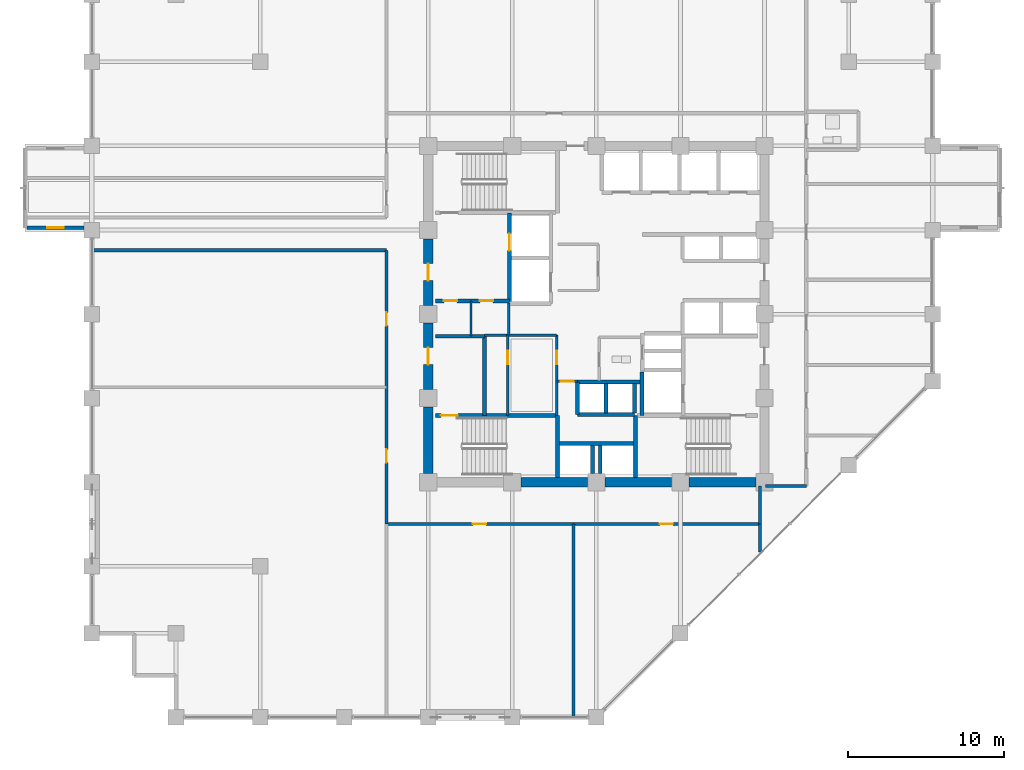
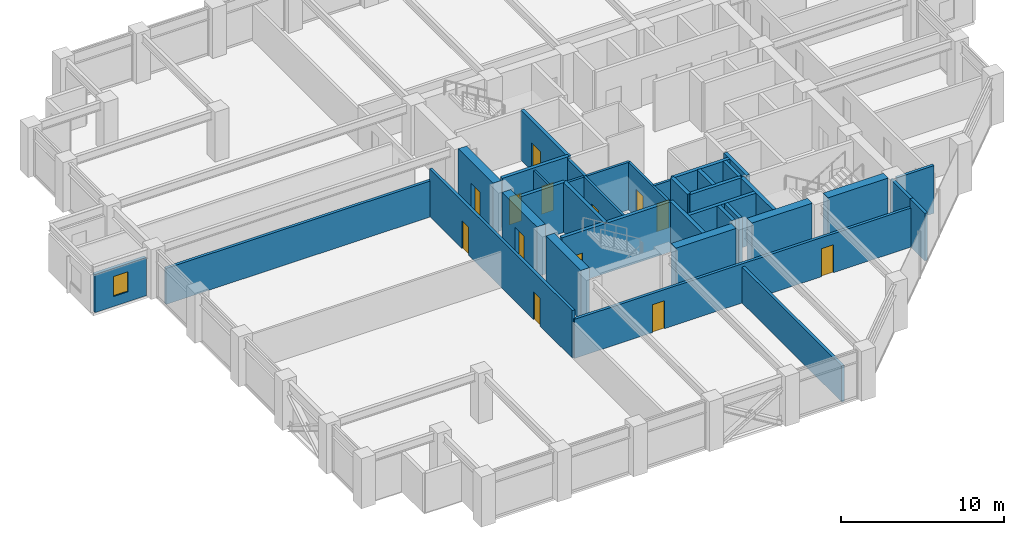
# One storey, part 22 of 29: 36 walls, 13 doors, 1 window, 14 openings.
"""IFC4 building model written with IfcOpenShell, lengths in metres."""

from ifc_helpers import new_model, si_unit, direction, frame, frame_2d, origin, place, context, subcontext, project, spatial, rectangle, extrude, material, layer, layer_set, type_object, element, fill, save


model = new_model("IFC4")

# Units and contexts
model_context = context("Model", 3, precision=1e-05, world=origin(), true_north=direction((0.0, 1.0)))
body_context = subcontext(model_context, "Body", "Model", "MODEL_VIEW")
ifc_project = project(units=[si_unit("LENGTHUNIT", "METRE"), si_unit("AREAUNIT", "SQUARE_METRE"), si_unit("VOLUMEUNIT", "CUBIC_METRE"), si_unit("PLANEANGLEUNIT", "RADIAN"), si_unit("MASSUNIT", "GRAM", prefix="KILO")], contexts=[model_context])

# Site, building, storey
site_placement = place(None, origin())
site = spatial("IfcSite", under=ifc_project, at=site_placement, CompositionType="ELEMENT")
building_placement = place(site_placement, origin())
building = spatial("IfcBuilding", under=site, at=building_placement, Name="Surkhivell Harbour Commons", CompositionType="ELEMENT")
storey_placement = place(building_placement, frame((0.0, 0.0, 154.5)))
storey = spatial("IfcBuildingStorey", under=building, at=storey_placement, Name="L40", CompositionType="ELEMENT", Elevation=154.5)

# Walls
ifc_material_1 = material(Name="Concrete C60/75", Category="concrete")
ifc_layer_1 = layer(ifc_material_1, 0.60009765625)
ifc_layer_set_1 = layer_set([ifc_layer_1], Name="Concrete C60/75")
wall_type_1 = type_object("IfcWallType", Name="WAL-CORE-600", PredefinedType="SHEAR", material=ifc_layer_set_1)
for number, where, z_axis, x_axis, name in (
    (1, (-10.800048828125, -10.239990234375, 0.0), (0.0, 0.0, 1.0), (0.0, 1.0, 0.0), "L40 Core Shear Wall West 1"),
    (2, (-4.840087890625, -10.800048828125, 0.0), (0.0, 0.0, 1.0), (1.0, 0.0, 0.0), "L40 Core Shear Wall South 2"),
):
    element("IfcWall", number, at=place(storey_placement, frame(where, z_axis=z_axis, x_axis=x_axis)), inside=storey, type_object=wall_type_1, Name=name, PredefinedType="SHEAR", context=body_context, shape_type="SweptSolid", body=[
        extrude(rectangle(XDim=4.280029296875, YDim=0.60009765625, at=frame_2d((2.14013671875, 0.0))), origin(), (0.0, 0.0, 1.0), 3.75),
    ])

# Wall, opening, door
wall_1_placement = place(storey_placement, frame((-10.800048828125, -4.840087890625, 0.0), z_axis=(0.0, 0.0, 1.0), x_axis=(0.0, 1.0, 0.0)))
wall_1 = element("IfcWall", 3, at=wall_1_placement, inside=storey, type_object=wall_type_1, Name="L40 Core Shear Wall West 2", PredefinedType="SHEAR", context=body_context, shape_type="SweptSolid", body=[
    extrude(rectangle(XDim=4.280029296875, YDim=0.60009765625, at=frame_2d((2.14013671875, 0.0))), origin(), (0.0, 0.0, 1.0), 3.75),
])
opening_1_placement = place(wall_1_placement, frame((1.590087890625, 0.0, 0.0)))
opening_1 = element("IfcOpeningElement", 4, at=opening_1_placement, cuts=wall_1, Name="Opening ID-2", PredefinedType="OPENING", context=body_context, shape_type="SweptSolid", body=[
    extrude(rectangle(XDim=1.10009765625, YDim=2.10009765625, at=frame_2d((0.550048828125, 1.050048828125))), frame((0.0, 0.31005859375, 0.0), z_axis=(0.0, -1.0, 0.0), x_axis=(1.0, 0.0, 0.0)), (0.0, 0.0, 1.0), 0.6201171875),
])
ifc_material_2 = material(Name="Hardwood-veneered fire-rated door leaf", Category="wood")
door_type_1 = type_object("IfcDoorType", Name="DOR-FD60-1100", OperationType="NOTDEFINED", PredefinedType="DOOR", material=ifc_material_2)
door_1_placement = place(opening_1_placement, origin())
door_1 = element("IfcDoor", 5, at=door_1_placement, inside=storey, type_object=door_type_1, Name="L40 Stair 3 Lobby Corridor Door", OperationType="SINGLE_SWING_LEFT", OverallHeight=2.10009765625, OverallWidth=1.10009765625, PredefinedType="DOOR", context=body_context, shape_type="SweptSolid", body=[
    extrude(rectangle(XDim=1.10009765625, YDim=2.10009765625, at=frame_2d((0.550048828125, 1.050048828125))), frame((0.0, 0.02490234375, 0.0), z_axis=(0.0, -1.0, 0.0), x_axis=(1.0, 0.0, 0.0)), (0.0, 0.0, 1.0), 0.050048828125),
])
fill(opening_1, door_1)

# Wall
wall_2_placement = place(storey_placement, frame((0.56005859375, -10.800048828125, 0.0), z_axis=(0.0, 0.0, 1.0), x_axis=(1.0, 0.0, 0.0)))
element("IfcWall", 6, at=wall_2_placement, inside=storey, type_object=wall_type_1, Name="L40 Core Shear Wall South 3", PredefinedType="SHEAR", context=body_context, shape_type="SweptSolid", body=[
    extrude(rectangle(XDim=4.280029296875, YDim=0.60009765625, at=frame_2d((2.14013671875, 0.0))), origin(), (0.0, 0.0, 1.0), 3.75),
])

# Wall, opening, door
wall_3_placement = place(storey_placement, frame((-10.800048828125, 0.56005859375, 0.0), z_axis=(0.0, 0.0, 1.0), x_axis=(0.0, 1.0, 0.0)))
wall_3 = element("IfcWall", 7, at=wall_3_placement, inside=storey, type_object=wall_type_1, Name="L40 Core Shear Wall West 3", PredefinedType="SHEAR", context=body_context, shape_type="SweptSolid", body=[
    extrude(rectangle(XDim=4.280029296875, YDim=0.60009765625, at=frame_2d((2.14013671875, 0.0))), origin(), (0.0, 0.0, 1.0), 3.75),
])
opening_2_placement = place(wall_3_placement, frame((1.590087890625, 0.0, 0.0)))
opening_2 = element("IfcOpeningElement", 8, at=opening_2_placement, cuts=wall_3, Name="Opening ID-1", PredefinedType="OPENING", context=body_context, shape_type="SweptSolid", body=[
    extrude(rectangle(XDim=1.10009765625, YDim=2.10009765625, at=frame_2d((0.550048828125, 1.050048828125))), frame((0.0, 0.31005859375, 0.0), z_axis=(0.0, -1.0, 0.0), x_axis=(1.0, 0.0, 0.0)), (0.0, 0.0, 1.0), 0.6201171875),
])
door_type_2 = type_object("IfcDoorType", Name="DOR-FD120-1100", OperationType="NOTDEFINED", PredefinedType="DOOR", material=ifc_material_2)
door_2_placement = place(opening_2_placement, origin())
door_2 = element("IfcDoor", 9, at=door_2_placement, inside=storey, type_object=door_type_2, Name="L40 Firefighting Lobby 1 Corridor Door", OperationType="SINGLE_SWING_LEFT", OverallHeight=2.10009765625, OverallWidth=1.10009765625, PredefinedType="DOOR", context=body_context, shape_type="SweptSolid", body=[
    extrude(rectangle(XDim=1.10009765625, YDim=2.10009765625, at=frame_2d((0.550048828125, 1.050048828125))), frame((0.0, 0.02490234375, 0.0), z_axis=(0.0, -1.0, 0.0), x_axis=(1.0, 0.0, 0.0)), (0.0, 0.0, 1.0), 0.050048828125),
])
fill(opening_2, door_2)

# Wall
wall_4_placement = place(storey_placement, frame((5.9599609375, -10.800048828125, 0.0), z_axis=(0.0, 0.0, 1.0), x_axis=(1.0, 0.0, 0.0)))
element("IfcWall", 10, at=wall_4_placement, inside=storey, type_object=wall_type_1, Name="L40 Core Shear Wall South 4", PredefinedType="SHEAR", context=body_context, shape_type="SweptSolid", body=[
    extrude(rectangle(XDim=4.280029296875, YDim=0.60009765625, at=frame_2d((2.14013671875, 0.0))), origin(), (0.0, 0.0, 1.0), 3.75),
])

# Wall, opening, window
ifc_material_3 = material(Name="Bronze-ochre cassette precast concrete C45/55", Category="concrete")
ifc_layer_2 = layer(ifc_material_3, 0.239990234375)
ifc_layer_set_2 = layer_set([ifc_layer_2], Name="Bronze-ochre cassette precast concrete C45/55")
wall_type_2 = type_object("IfcWallType", Name="WAL-EXT-OCH240", PredefinedType="STANDARD", material=ifc_layer_set_2)
wall_5_placement = place(storey_placement, frame((-36.56005859375, 5.5400390625, 0.0), z_axis=(0.0, 0.0, 1.0), x_axis=(1.0, 0.0, 0.0)))
wall_5 = element("IfcWall", 11, at=wall_5_placement, inside=storey, type_object=wall_type_2, Name="L40 Coloured Box Return Wall 02S", PredefinedType="STANDARD", context=body_context, shape_type="SweptSolid", body=[
    extrude(rectangle(XDim=3.656005859375, YDim=0.239990234375, at=frame_2d((1.828125, 0.0))), origin(), (0.0, 0.0, 1.0), 2.85693359375),
])
opening_3_placement = place(wall_5_placement, frame((1.302978515625, 0.0, 0.75)))
opening_3 = element("IfcOpeningElement", 12, at=opening_3_placement, cuts=wall_5, Name="Opening WN-11", PredefinedType="OPENING", context=body_context, shape_type="SweptSolid", body=[
    extrude(rectangle(XDim=1.050048828125, YDim=1.5, at=frame_2d((0.52490234375, 0.75))), frame((0.0, 0.1298828125, 0.0), z_axis=(0.0, -1.0, 0.0), x_axis=(1.0, 0.0, 0.0)), (0.0, 0.0, 1.0), 0.260009765625),
])
ifc_material_4 = material(Name="Thermal-break aluminium frame and double low-E glazing", Category="aluminium")
window_type = type_object("IfcWindowType", Name="WIN-SER-1050x1500", PartitioningType="SINGLE_PANEL", PredefinedType="WINDOW", material=ifc_material_4)
window_placement = place(opening_3_placement, origin())
window = element("IfcWindow", 13, at=window_placement, inside=storey, type_object=window_type, Name="L40 Coloured Box Return Window 02S", OverallHeight=1.5, OverallWidth=1.050048828125, PartitioningType="SINGLE_PANEL", PredefinedType="WINDOW", context=body_context, shape_type="SweptSolid", body=[
    extrude(rectangle(XDim=1.050048828125, YDim=1.5, at=frame_2d((0.52490234375, 0.75))), frame((0.0, 0.030029296875, 0.0), z_axis=(0.0, -1.0, 0.0), x_axis=(1.0, 0.0, 0.0)), (0.0, 0.0, 1.0), 0.06005859375),
])
fill(opening_3, window)

# Wall, opening, door
ifc_material_5 = material(Name="Twin-stud acoustic fireboard partition", Category="other")
ifc_layer_3 = layer(ifc_material_5, 0.14990234375)
ifc_layer_set_3 = layer_set([ifc_layer_3], Name="Twin-stud acoustic fireboard partition")
wall_type_3 = type_object("IfcWallType", Name="WAL-INT-150", PredefinedType="PARTITIONING", material=ifc_layer_set_3)
wall_6_placement = place(storey_placement, frame((-5.699951171875, -6.510009765625, 0.0), z_axis=(0.0, 0.0, 1.0), x_axis=(0.0, 1.0, 0.0)))
wall_6 = element("IfcWall", 14, at=wall_6_placement, inside=storey, type_object=wall_type_3, Name="L40 Core Cut B Partition", PredefinedType="PARTITIONING", context=body_context, shape_type="SweptSolid", body=[
    extrude(rectangle(XDim=5.159912109375, YDim=0.14990234375, at=frame_2d((2.580078125, 0.0))), origin(), (0.0, 0.0, 1.0), 3.570068359375),
])
opening_4_placement = place(wall_6_placement, frame((3.300048828125, 0.0, 0.0)))
opening_4 = element("IfcOpeningElement", 15, at=opening_4_placement, cuts=wall_6, Name="Opening ID-6", PredefinedType="OPENING", context=body_context, shape_type="SweptSolid", body=[
    extrude(rectangle(XDim=0.85009765625, YDim=2.10009765625, at=frame_2d((0.425048828125, 1.050048828125))), frame((0.0, 0.0849609375, 0.0), z_axis=(0.0, -1.0, 0.0), x_axis=(1.0, 0.0, 0.0)), (0.0, 0.0, 1.0), 0.169921875),
])
door_type_3 = type_object("IfcDoorType", Name="DOR-FD30-850", OperationType="NOTDEFINED", PredefinedType="DOOR", material=ifc_material_2)
door_3_placement = place(opening_4_placement, origin())
door_3 = element("IfcDoor", 16, at=door_3_placement, inside=storey, type_object=door_type_3, Name="L40 Core Focus Study Door", OperationType="SINGLE_SWING_RIGHT", OverallHeight=2.10009765625, OverallWidth=0.85009765625, PredefinedType="DOOR", context=body_context, shape_type="SweptSolid", body=[
    extrude(rectangle(XDim=0.85009765625, YDim=2.10009765625, at=frame_2d((0.425048828125, 1.050048828125))), frame((0.0, 0.02490234375, 0.0), z_axis=(0.0, -1.0, 0.0), x_axis=(1.0, 0.0, 0.0)), (0.0, 0.0, 1.0), 0.050048828125),
])
fill(opening_4, door_3)

# Wall
wall_7_placement = place(storey_placement, frame((-8.050048828125, -1.419921875, 0.0), z_axis=(0.0, 0.0, 1.0), x_axis=(0.0, 1.0, 0.0)))
element("IfcWall", 17, at=wall_7_placement, inside=storey, type_object=wall_type_3, Name="L40 West Seminar Booth Divider", PredefinedType="PARTITIONING", context=body_context, shape_type="SweptSolid", body=[
    extrude(rectangle(XDim=2.27001953125, YDim=0.14990234375, at=frame_2d((1.135009765625, 0.0))), origin(), (0.0, 0.0, 1.0), 3.570068359375),
])

# Wall, opening, door
ifc_material_6 = material(Name="High-density acoustic blockwork fire partition", Category="masonry")
ifc_layer_4 = layer(ifc_material_6, 0.175048828125)
ifc_layer_set_4 = layer_set([ifc_layer_4], Name="High-density acoustic blockwork fire partition")
wall_type_4 = type_object("IfcWallType", Name="WAL-INT-175", PredefinedType="PARTITIONING", material=ifc_layer_set_4)
wall_8_placement = place(storey_placement, frame((-2.550048828125, -6.510009765625, 0.0), z_axis=(0.0, 0.0, 1.0), x_axis=(0.0, 1.0, 0.0)))
wall_8 = element("IfcWall", 18, at=wall_8_placement, inside=storey, type_object=wall_type_4, Name="L40 Core Service Bay East Wall", PredefinedType="PARTITIONING", context=body_context, shape_type="SweptSolid", body=[
    extrude(rectangle(XDim=5.159912109375, YDim=0.175048828125, at=frame_2d((2.580078125, 0.0))), origin(), (0.0, 0.0, 1.0), 3.570068359375),
])
opening_5_placement = place(wall_8_placement, frame((3.300048828125, 0.0, 0.0)))
opening_5 = element("IfcOpeningElement", 19, at=opening_5_placement, cuts=wall_8, Name="Opening ID-6", PredefinedType="OPENING", context=body_context, shape_type="SweptSolid", body=[
    extrude(rectangle(XDim=0.85009765625, YDim=2.10009765625, at=frame_2d((0.425048828125, 1.050048828125))), frame((0.0, 0.097412109375, 0.0), z_axis=(0.0, -1.0, 0.0), x_axis=(1.0, 0.0, 0.0)), (0.0, 0.0, 1.0), 0.195068359375),
])
door_4_placement = place(opening_5_placement, origin())
door_4 = element("IfcDoor", 20, at=door_4_placement, inside=storey, type_object=door_type_3, Name="L40 Core Music Door", OperationType="SINGLE_SWING_LEFT", OverallHeight=2.10009765625, OverallWidth=0.85009765625, PredefinedType="DOOR", context=body_context, shape_type="SweptSolid", body=[
    extrude(rectangle(XDim=0.85009765625, YDim=2.10009765625, at=frame_2d((0.425048828125, 1.050048828125))), frame((0.0, 0.02490234375, 0.0), z_axis=(0.0, -1.0, 0.0), x_axis=(1.0, 0.0, 0.0)), (0.0, 0.0, 1.0), 0.050048828125),
])
fill(opening_5, door_4)

# Walls
wall_9_placement = place(storey_placement, frame((-7.179931640625, -1.35009765625, 0.0), z_axis=(0.0, 0.0, 1.0), x_axis=(1.0, 0.0, 0.0)))
element("IfcWall", 21, at=wall_9_placement, inside=storey, type_object=wall_type_4, Name="L40 Core Service Bay North Wall", PredefinedType="PARTITIONING", context=body_context, shape_type="SweptSolid", body=[
    extrude(rectangle(XDim=4.6298828125, YDim=0.175048828125, at=frame_2d((2.31494140625, 0.0))), origin(), (0.0, 0.0, 1.0), 3.570068359375),
])
wall_10_placement = place(storey_placement, frame((-5.6201171875, -1.35009765625, 0.0), z_axis=(0.0, 0.0, 1.0), x_axis=(0.0, 1.0, 0.0)))
element("IfcWall", 22, at=wall_10_placement, inside=storey, type_object=wall_type_4, Name="L40 West Core Bay East Wall", PredefinedType="PARTITIONING", context=body_context, shape_type="SweptSolid", body=[
    extrude(rectangle(XDim=2.070068359375, YDim=0.175048828125, at=frame_2d((1.03515625, 0.0))), origin(), (0.0, 0.0, 1.0), 3.570068359375),
])

# Wall, opening, door
wall_11_placement = place(storey_placement, frame((-2.52001953125, -4.320068359375, 0.0), z_axis=(0.0, 0.0, 1.0), x_axis=(1.0, 0.0, 0.0)))
wall_11 = element("IfcWall", 23, at=wall_11_placement, inside=storey, type_object=wall_type_4, Name="L40 High-Rise Lobby North Portal Wall", PredefinedType="PARTITIONING", context=body_context, shape_type="SweptSolid", body=[
    extrude(rectangle(XDim=1.300048828125, YDim=0.175048828125, at=frame_2d((0.64990234375, 0.0))), origin(), (0.0, 0.0, 1.0), 3.570068359375),
])
opening_6_placement = place(wall_11_placement, frame((0.219970703125, 0.0, 0.0)))
opening_6 = element("IfcOpeningElement", 24, at=opening_6_placement, cuts=wall_11, Name="Opening ID-6", PredefinedType="OPENING", context=body_context, shape_type="SweptSolid", body=[
    extrude(rectangle(XDim=0.85009765625, YDim=2.10009765625, at=frame_2d((0.425048828125, 1.050048828125))), frame((0.0, 0.097412109375, 0.0), z_axis=(0.0, -1.0, 0.0), x_axis=(1.0, 0.0, 0.0)), (0.0, 0.0, 1.0), 0.195068359375),
])
door_5_placement = place(opening_6_placement, origin())
door_5 = element("IfcDoor", 25, at=door_5_placement, inside=storey, type_object=door_type_3, Name="L40 High-Rise Lift Lobby North Door", OperationType="SINGLE_SWING_LEFT", OverallHeight=2.10009765625, OverallWidth=0.85009765625, PredefinedType="DOOR", context=body_context, shape_type="SweptSolid", body=[
    extrude(rectangle(XDim=0.85009765625, YDim=2.10009765625, at=frame_2d((0.425048828125, 1.050048828125))), frame((0.0, 0.02490234375, 0.0), z_axis=(0.0, -1.0, 0.0), x_axis=(1.0, 0.0, 0.0)), (0.0, 0.0, 1.0), 0.050048828125),
])
fill(opening_6, door_5)

# Walls
ifc_material_7 = material(Name="Autoclaved aerated concrete blockwork and fire plaster", Category="masonry")
ifc_layer_5 = layer(ifc_material_7, 0.199951171875)
ifc_layer_set_5 = layer_set([ifc_layer_5], Name="Autoclaved aerated concrete blockwork and fire plaster")
wall_type_5 = type_object("IfcWallType", Name="WAL-INT-200", PredefinedType="PARTITIONING", material=ifc_layer_set_5)
wall_12_placement = place(storey_placement, frame((10.52001953125, -15.295166015625, 0.0), z_axis=(0.0, 0.0, 1.0), x_axis=(0.0, 1.0, 0.0)))
element("IfcWall", 26, at=wall_12_placement, inside=storey, type_object=wall_type_5, Name="L40 South-East Wing Corner Divider", PredefinedType="PARTITIONING", context=body_context, shape_type="SweptSolid", body=[
    extrude(rectangle(XDim=1.815185546875, YDim=0.199951171875, at=frame_2d((0.90771484375, 0.0))), origin(), (0.0, 0.0, 1.0), 3.570068359375),
])
wall_13_placement = place(storey_placement, frame((10.85009765625, -11.0400390625, 0.0), z_axis=(0.0, 0.0, 1.0), x_axis=(1.0, 0.0, 0.0)))
element("IfcWall", 27, at=wall_13_placement, inside=storey, type_object=wall_type_5, Name="L40 Corridor East South Closure Wall", PredefinedType="PARTITIONING", context=body_context, shape_type="SweptSolid", body=[
    extrude(rectangle(XDim=2.6298828125, YDim=0.199951171875, at=frame_2d((1.31494140625, 0.0))), origin(), (0.0, 0.0, 1.0), 3.570068359375),
])

# Wall, openings, doors
wall_14_placement = place(storey_placement, frame((-13.47998046875, -13.47998046875, 0.0), z_axis=(0.0, 0.0, 1.0), x_axis=(1.0, 0.0, 0.0)))
wall_14 = element("IfcWall", 28, at=wall_14_placement, inside=storey, type_object=wall_type_5, Name="L40 Corridor South Wall", PredefinedType="PARTITIONING", context=body_context, shape_type="SweptSolid", body=[
    extrude(rectangle(XDim=24.0, YDim=0.199951171875, at=frame_2d((12.0, 0.0))), origin(), (0.0, 0.0, 1.0), 2.93310546875),
])
opening_7_placement = place(wall_14_placement, frame((5.550048828125, 0.0, 0.0)))
opening_7 = element("IfcOpeningElement", 29, at=opening_7_placement, cuts=wall_14, Name="Opening ID-6", PredefinedType="OPENING", context=body_context, shape_type="SweptSolid", body=[
    extrude(rectangle(XDim=0.85009765625, YDim=2.10009765625, at=frame_2d((0.425048828125, 1.050048828125))), frame((0.0, 0.10986328125, 0.0), z_axis=(0.0, -1.0, 0.0), x_axis=(1.0, 0.0, 0.0)), (0.0, 0.0, 1.0), 0.219970703125),
])
opening_8_placement = place(wall_14_placement, frame((17.550048828125, 0.0, 0.0)))
opening_8 = element("IfcOpeningElement", 30, at=opening_8_placement, cuts=wall_14, Name="Opening ID-6", PredefinedType="OPENING", context=body_context, shape_type="SweptSolid", body=[
    extrude(rectangle(XDim=0.85009765625, YDim=2.10009765625, at=frame_2d((0.425048828125, 1.050048828125))), frame((0.0, 0.10986328125, 0.0), z_axis=(0.0, -1.0, 0.0), x_axis=(1.0, 0.0, 0.0)), (0.0, 0.0, 1.0), 0.219970703125),
])
door_6_placement = place(opening_7_placement, origin())
door_6 = element("IfcDoor", 31, at=door_6_placement, inside=storey, type_object=door_type_3, Name="L40 Campus Co-Op Bookshop South Door", OperationType="SINGLE_SWING_RIGHT", OverallHeight=2.10009765625, OverallWidth=0.85009765625, PredefinedType="DOOR", context=body_context, shape_type="SweptSolid", body=[
    extrude(rectangle(XDim=0.85009765625, YDim=2.10009765625, at=frame_2d((0.425048828125, 1.050048828125))), frame((0.0, 0.02490234375, 0.0), z_axis=(0.0, -1.0, 0.0), x_axis=(1.0, 0.0, 0.0)), (0.0, 0.0, 1.0), 0.050048828125),
])
fill(opening_7, door_6)
door_7_placement = place(opening_8_placement, origin())
door_7 = element("IfcDoor", 32, at=door_7_placement, inside=storey, type_object=door_type_3, Name="L40 Harbour Espresso Cafe Shop South Door", OperationType="SINGLE_SWING_LEFT", OverallHeight=2.10009765625, OverallWidth=0.85009765625, PredefinedType="DOOR", context=body_context, shape_type="SweptSolid", body=[
    extrude(rectangle(XDim=0.85009765625, YDim=2.10009765625, at=frame_2d((0.425048828125, 1.050048828125))), frame((0.0, 0.02490234375, 0.0), z_axis=(0.0, -1.0, 0.0), x_axis=(1.0, 0.0, 0.0)), (0.0, 0.0, 1.0), 0.050048828125),
])
fill(opening_8, door_7)

# Walls
wall_15_placement = place(storey_placement, frame((10.52001953125, -13.47998046875, 0.0), z_axis=(0.0, 0.0, 1.0), x_axis=(0.0, 1.0, 0.0)))
element("IfcWall", 33, at=wall_15_placement, inside=storey, type_object=wall_type_5, Name="L40 Corridor SE Closure Wall", PredefinedType="PARTITIONING", context=body_context, shape_type="SweptSolid", body=[
    extrude(rectangle(XDim=2.43994140625, YDim=0.199951171875, at=frame_2d((1.219970703125, 0.0))), origin(), (0.0, 0.0, 1.0), 3.570068359375),
])
wall_16_placement = place(storey_placement, frame((-32.340087890625, 4.10009765625, 0.0), z_axis=(0.0, 0.0, 1.0), x_axis=(1.0, 0.0, 0.0)))
element("IfcWall", 34, at=wall_16_placement, inside=storey, type_object=wall_type_5, Name="L40 West Alcove South Wall", PredefinedType="PARTITIONING", context=body_context, shape_type="SweptSolid", body=[
    extrude(rectangle(XDim=18.860107421875, YDim=0.199951171875, at=frame_2d((9.43017578125, 0.0))), origin(), (0.0, 0.0, 1.0), 2.698974609375),
])

# Wall, openings, doors
wall_17_placement = place(storey_placement, frame((-13.47998046875, -13.47998046875, 0.0), z_axis=(0.0, 0.0, 1.0), x_axis=(0.0, 1.0, 0.0)))
wall_17 = element("IfcWall", 35, at=wall_17_placement, inside=storey, type_object=wall_type_5, Name="L40 Corridor West-Lower Wall", PredefinedType="PARTITIONING", context=body_context, shape_type="SweptSolid", body=[
    extrude(rectangle(XDim=17.580078125, YDim=0.199951171875, at=frame_2d((8.7900390625, 0.0))), origin(), (0.0, 0.0, 1.0), 3.570068359375),
])
opening_9_placement = place(wall_17_placement, frame((3.945068359375, 0.0, 0.0)))
opening_9 = element("IfcOpeningElement", 36, at=opening_9_placement, cuts=wall_17, Name="Opening ID-6", PredefinedType="OPENING", context=body_context, shape_type="SweptSolid", body=[
    extrude(rectangle(XDim=0.85009765625, YDim=2.10009765625, at=frame_2d((0.425048828125, 1.050048828125))), frame((0.0, 0.10986328125, 0.0), z_axis=(0.0, -1.0, 0.0), x_axis=(1.0, 0.0, 0.0)), (0.0, 0.0, 1.0), 0.219970703125),
])
opening_10_placement = place(wall_17_placement, frame((12.735107421875, 0.0, 0.0)))
opening_10 = element("IfcOpeningElement", 37, at=opening_10_placement, cuts=wall_17, Name="Opening ID-6", PredefinedType="OPENING", context=body_context, shape_type="SweptSolid", body=[
    extrude(rectangle(XDim=0.85009765625, YDim=2.10009765625, at=frame_2d((0.425048828125, 1.050048828125))), frame((0.0, 0.10986328125, 0.0), z_axis=(0.0, -1.0, 0.0), x_axis=(1.0, 0.0, 0.0)), (0.0, 0.0, 1.0), 0.219970703125),
])
door_8_placement = place(opening_9_placement, origin())
door_8 = element("IfcDoor", 38, at=door_8_placement, inside=storey, type_object=door_type_3, Name="L40 Campus Co-Op Bookshop South-West Door", OperationType="SINGLE_SWING_LEFT", OverallHeight=2.10009765625, OverallWidth=0.85009765625, PredefinedType="DOOR", context=body_context, shape_type="SweptSolid", body=[
    extrude(rectangle(XDim=0.85009765625, YDim=2.10009765625, at=frame_2d((0.425048828125, 1.050048828125))), frame((0.0, 0.02490234375, 0.0), z_axis=(0.0, -1.0, 0.0), x_axis=(1.0, 0.0, 0.0)), (0.0, 0.0, 1.0), 0.050048828125),
])
fill(opening_9, door_8)
door_9_placement = place(opening_10_placement, origin())
door_9 = element("IfcDoor", 39, at=door_9_placement, inside=storey, type_object=door_type_3, Name="L40 Harbour Espresso Cafe Shop South-West Door", OperationType="SINGLE_SWING_RIGHT", OverallHeight=2.10009765625, OverallWidth=0.85009765625, PredefinedType="DOOR", context=body_context, shape_type="SweptSolid", body=[
    extrude(rectangle(XDim=0.85009765625, YDim=2.10009765625, at=frame_2d((0.425048828125, 1.050048828125))), frame((0.0, 0.02490234375, 0.0), z_axis=(0.0, -1.0, 0.0), x_axis=(1.0, 0.0, 0.0)), (0.0, 0.0, 1.0), 0.050048828125),
])
fill(opening_10, door_9)

# Wall
wall_18_placement = place(storey_placement, frame((-1.47998046875, -25.840087890625, 0.0), z_axis=(0.0, 0.0, 1.0), x_axis=(0.0, 1.0, 0.0)))
element("IfcWall", 40, at=wall_18_placement, inside=storey, type_object=wall_type_5, Name="L40 South Partition P1", PredefinedType="PARTITIONING", context=body_context, shape_type="SweptSolid", body=[
    extrude(rectangle(XDim=12.360107421875, YDim=0.199951171875, at=frame_2d((6.18017578125, 0.0))), origin(), (0.0, 0.0, 1.0), 2.698974609375),
])

# Wall, opening, door
ifc_material_8 = material(Name="Concrete C50/60", Category="concrete")
ifc_layer_6 = layer(ifc_material_8, 0.25)
ifc_layer_set_6 = layer_set([ifc_layer_6], Name="Concrete C50/60")
wall_type_6 = type_object("IfcWallType", Name="WAL-SHAFT-250", PredefinedType="SHEAR", material=ifc_layer_set_6)
wall_19_placement = place(storey_placement, frame((-5.580078125, 0.719970703125, 0.0), z_axis=(0.0, 0.0, 1.0), x_axis=(0.0, 1.0, 0.0)))
wall_19 = element("IfcWall", 41, at=wall_19_placement, inside=storey, type_object=wall_type_6, Name="L40 Firefighting Lobby 1 East Shaft Wall", PredefinedType="SHEAR", context=body_context, shape_type="SweptSolid", body=[
    extrude(rectangle(XDim=5.7900390625, YDim=0.25, at=frame_2d((2.89501953125, 0.0))), origin(), (0.0, 0.0, 1.0), 3.75),
])
opening_11_placement = place(wall_19_placement, frame((3.35009765625, 0.0, 0.0)))
opening_11 = element("IfcOpeningElement", 42, at=opening_11_placement, cuts=wall_19, Name="Opening LD-1", PredefinedType="OPENING", context=body_context, shape_type="SweptSolid", body=[
    extrude(rectangle(XDim=1.10009765625, YDim=2.10009765625, at=frame_2d((0.550048828125, 1.050048828125))), frame((0.0, 0.135009765625, 0.0), z_axis=(0.0, -1.0, 0.0), x_axis=(1.0, 0.0, 0.0)), (0.0, 0.0, 1.0), 0.27001953125),
])
ifc_material_9 = material(Name="Brushed stainless steel S355", Category="steel")
door_type_4 = type_object("IfcDoorType", Name="DOR-LD-1100", OperationType="SLIDING_TO_LEFT", PredefinedType="DOOR", material=ifc_material_9)
door_10_placement = place(opening_11_placement, origin())
door_10 = element("IfcDoor", 43, at=door_10_placement, inside=storey, type_object=door_type_4, Name="L40 Lift Landing Door LD-FFL1", OperationType="SLIDING_TO_LEFT", OverallHeight=2.10009765625, OverallWidth=1.10009765625, PredefinedType="DOOR", context=body_context, shape_type="SweptSolid", body=[
    extrude(rectangle(XDim=1.10009765625, YDim=2.10009765625, at=frame_2d((0.550048828125, 1.050048828125))), frame((0.0, 0.02490234375, 0.0), z_axis=(0.0, -1.0, 0.0), x_axis=(1.0, 0.0, 0.0)), (0.0, 0.0, 1.0), 0.050048828125),
])
fill(opening_11, door_10)

# Wall, openings, doors
wall_20_placement = place(storey_placement, frame((-10.340087890625, 0.85009765625, 0.0), z_axis=(0.0, 0.0, 1.0), x_axis=(1.0, 0.0, 0.0)))
wall_20 = element("IfcWall", 44, at=wall_20_placement, inside=storey, type_object=wall_type_6, Name="L40 Firefighting Lobby 1 South Wall", PredefinedType="SHEAR", context=body_context, shape_type="SweptSolid", body=[
    extrude(rectangle(XDim=4.760009765625, YDim=0.25, at=frame_2d((2.3798828125, 0.0))), origin(), (0.0, 0.0, 1.0), 3.75),
])
opening_12_placement = place(wall_20_placement, frame((0.550048828125, 0.0, 0.0)))
opening_12 = element("IfcOpeningElement", 45, at=opening_12_placement, cuts=wall_20, Name="Opening ID-6", PredefinedType="OPENING", context=body_context, shape_type="SweptSolid", body=[
    extrude(rectangle(XDim=0.85009765625, YDim=2.10009765625, at=frame_2d((0.425048828125, 1.050048828125))), frame((0.0, 0.135009765625, 0.0), z_axis=(0.0, -1.0, 0.0), x_axis=(1.0, 0.0, 0.0)), (0.0, 0.0, 1.0), 0.27001953125),
])
opening_13_placement = place(wall_20_placement, frame((2.85009765625, 0.0, 0.0)))
opening_13 = element("IfcOpeningElement", 46, at=opening_13_placement, cuts=wall_20, Name="Opening ID-6", PredefinedType="OPENING", context=body_context, shape_type="SweptSolid", body=[
    extrude(rectangle(XDim=0.85009765625, YDim=2.10009765625, at=frame_2d((0.425048828125, 1.050048828125))), frame((0.0, 0.135009765625, 0.0), z_axis=(0.0, -1.0, 0.0), x_axis=(1.0, 0.0, 0.0)), (0.0, 0.0, 1.0), 0.27001953125),
])
door_11_placement = place(opening_12_placement, origin())
door_11 = element("IfcDoor", 47, at=door_11_placement, inside=storey, type_object=door_type_3, Name="L40 West Seminar 1 Door", OperationType="SINGLE_SWING_LEFT", OverallHeight=2.10009765625, OverallWidth=0.85009765625, PredefinedType="DOOR", context=body_context, shape_type="SweptSolid", body=[
    extrude(rectangle(XDim=0.85009765625, YDim=2.10009765625, at=frame_2d((0.425048828125, 1.050048828125))), frame((0.0, 0.02490234375, 0.0), z_axis=(0.0, -1.0, 0.0), x_axis=(1.0, 0.0, 0.0)), (0.0, 0.0, 1.0), 0.050048828125),
])
fill(opening_12, door_11)
door_12_placement = place(opening_13_placement, origin())
door_12 = element("IfcDoor", 48, at=door_12_placement, inside=storey, type_object=door_type_3, Name="L40 West Seminar 2 Door", OperationType="SINGLE_SWING_RIGHT", OverallHeight=2.10009765625, OverallWidth=0.85009765625, PredefinedType="DOOR", context=body_context, shape_type="SweptSolid", body=[
    extrude(rectangle(XDim=0.85009765625, YDim=2.10009765625, at=frame_2d((0.425048828125, 1.050048828125))), frame((0.0, 0.02490234375, 0.0), z_axis=(0.0, -1.0, 0.0), x_axis=(1.0, 0.0, 0.0)), (0.0, 0.0, 1.0), 0.050048828125),
])
fill(opening_13, door_12)

# Walls
wall_21_placement = place(storey_placement, frame((2.929931640625, -6.510009765625, 0.0), z_axis=(0.0, 0.0, 1.0), x_axis=(0.0, 1.0, 0.0)))
element("IfcWall", 49, at=wall_21_placement, inside=storey, type_object=wall_type_6, Name="L40 FFL2 West Shaft Wall", PredefinedType="SHEAR", context=body_context, shape_type="SweptSolid", body=[
    extrude(rectangle(XDim=2.7900390625, YDim=0.25, at=frame_2d((1.39501953125, 0.0))), origin(), (0.0, 0.0, 1.0), 3.75),
])
for number, where, z_axis, x_axis, name in (
    (50, (0.6201171875, -6.340087890625, 0.0), (0.0, 0.0, 1.0), (0.0, 1.0, 0.0), "L40 High-Rise Side Wall N"),
    (51, (2.449951171875, -6.340087890625, 0.0), (0.0, 0.0, 1.0), (0.0, 1.0, 0.0), "L40 High-Rise Side Wall N"),
):
    element("IfcWall", number, at=place(storey_placement, frame(where, z_axis=z_axis, x_axis=x_axis)), inside=storey, type_object=wall_type_6, Name=name, PredefinedType="SHEAR", context=body_context, shape_type="SweptSolid", body=[
        extrude(rectangle(XDim=1.880126953125, YDim=0.25, at=frame_2d((0.93994140625, 0.0))), origin(), (0.0, 0.0, 1.0), 3.75),
    ])
for number, where, z_axis, x_axis, name in (
    (52, (-0.25, -10.25, 0.0), (0.0, 0.0, 1.0), (0.0, 1.0, 0.0), "L40 High-Rise Side Wall S"),
    (53, (0.25, -10.25, 0.0), (0.0, 0.0, 1.0), (0.0, 1.0, 0.0), "L40 High-Rise Side Wall S"),
):
    element("IfcWall", number, at=place(storey_placement, frame(where, z_axis=z_axis, x_axis=x_axis)), inside=storey, type_object=wall_type_6, Name=name, PredefinedType="SHEAR", context=body_context, shape_type="SweptSolid", body=[
        extrude(rectangle(XDim=1.81005859375, YDim=0.25, at=frame_2d((0.905029296875, 0.0))), origin(), (0.0, 0.0, 1.0), 3.75),
    ])
wall_22_placement = place(storey_placement, frame((-1.219970703125, -6.43994140625, 0.0), z_axis=(0.0, 0.0, 1.0), x_axis=(0.0, 1.0, 0.0)))
element("IfcWall", 54, at=wall_22_placement, inside=storey, type_object=wall_type_6, Name="L40 High-Rise Passage East Shaft Wall", PredefinedType="SHEAR", context=body_context, shape_type="SweptSolid", body=[
    extrude(rectangle(XDim=2.079833984375, YDim=0.25, at=frame_2d((1.0400390625, 0.0))), origin(), (0.0, 0.0, 1.0), 3.75),
])
wall_23_placement = place(storey_placement, frame((-1.219970703125, -6.43994140625, 0.0), z_axis=(0.0, 0.0, 1.0), x_axis=(1.0, 0.0, 0.0)))
element("IfcWall", 55, at=wall_23_placement, inside=storey, type_object=wall_type_6, Name="L40 High-Rise North Front Shaft Wall", PredefinedType="SHEAR", context=body_context, shape_type="SweptSolid", body=[
    extrude(rectangle(XDim=3.669921875, YDim=0.25, at=frame_2d((1.8349609375, 0.0))), origin(), (0.0, 0.0, 1.0), 3.75),
])
wall_24_placement = place(storey_placement, frame((-2.47998046875, -8.320068359375, 0.0), z_axis=(0.0, 0.0, 1.0), x_axis=(1.0, 0.0, 0.0)))
element("IfcWall", 56, at=wall_24_placement, inside=storey, type_object=wall_type_6, Name="L40 High-Rise South Front Shaft Wall", PredefinedType="SHEAR", context=body_context, shape_type="SweptSolid", body=[
    extrude(rectangle(XDim=4.929931640625, YDim=0.25, at=frame_2d((2.46484375, 0.0))), origin(), (0.0, 0.0, 1.0), 3.75),
])
wall_25_placement = place(storey_placement, frame((-1.219970703125, -4.360107421875, 0.0), z_axis=(0.0, 0.0, 1.0), x_axis=(1.0, 0.0, 0.0)))
element("IfcWall", 57, at=wall_25_placement, inside=storey, type_object=wall_type_6, Name="L40 High-Rise North Back Shaft Wall", PredefinedType="SHEAR", context=body_context, shape_type="SweptSolid", body=[
    extrude(rectangle(XDim=4.030029296875, YDim=0.25, at=frame_2d((2.01513671875, 0.0))), origin(), (0.0, 0.0, 1.0), 3.75),
])
for number, where, z_axis, x_axis, name in (
    (58, (2.510009765625, -10.5, 0.0), (0.0, 0.0, 1.0), (0.0, 1.0, 0.0), "L40 Stair ST2 West Shear Wall"),
    (59, (-2.510009765625, -10.5, 0.0), (0.0, 0.0, 1.0), (0.0, 1.0, 0.0), "L40 Stair ST3 East Shear Wall"),
):
    element("IfcWall", number, at=place(storey_placement, frame(where, z_axis=z_axis, x_axis=x_axis)), inside=storey, type_object=wall_type_6, Name=name, PredefinedType="SHEAR", context=body_context, shape_type="SweptSolid", body=[
        extrude(rectangle(XDim=3.989990234375, YDim=0.25, at=frame_2d((1.9951171875, 0.0))), origin(), (0.0, 0.0, 1.0), 3.75),
    ])
wall_26_placement = place(storey_placement, frame((-7.179931640625, -6.510009765625, 0.0), z_axis=(0.0, 0.0, 1.0), x_axis=(0.0, 1.0, 0.0)))
element("IfcWall", 60, at=wall_26_placement, inside=storey, type_object=wall_type_6, Name="L40 Stair 3 Lobby East Wall", PredefinedType="SHEAR", context=body_context, shape_type="SweptSolid", body=[
    extrude(rectangle(XDim=5.090087890625, YDim=0.25, at=frame_2d((2.544921875, 0.0))), origin(), (0.0, 0.0, 1.0), 3.75),
])
wall_27_placement = place(storey_placement, frame((-10.340087890625, -1.419921875, 0.0), z_axis=(0.0, 0.0, 1.0), x_axis=(1.0, 0.0, 0.0)))
element("IfcWall", 61, at=wall_27_placement, inside=storey, type_object=wall_type_6, Name="L40 Stair 3 Lobby North Wall", PredefinedType="SHEAR", context=body_context, shape_type="SweptSolid", body=[
    extrude(rectangle(XDim=3.16015625, YDim=0.25, at=frame_2d((1.580078125, 0.0))), origin(), (0.0, 0.0, 1.0), 3.75),
])

# Wall, opening, door
wall_28_placement = place(storey_placement, frame((-10.340087890625, -6.510009765625, 0.0), z_axis=(0.0, 0.0, 1.0), x_axis=(1.0, 0.0, 0.0)))
wall_28 = element("IfcWall", 62, at=wall_28_placement, inside=storey, type_object=wall_type_6, Name="L40 Stair ST3 North Shear Wall", PredefinedType="SHEAR", context=body_context, shape_type="SweptSolid", body=[
    extrude(rectangle(XDim=7.7001953125, YDim=0.25, at=frame_2d((3.85009765625, 0.0))), origin(), (0.0, 0.0, 1.0), 3.75),
])
opening_14_placement = place(wall_28_placement, frame((0.35009765625, 0.0, 0.0)))
opening_14 = element("IfcOpeningElement", 63, at=opening_14_placement, cuts=wall_28, Name="Opening ID-2", PredefinedType="OPENING", context=body_context, shape_type="SweptSolid", body=[
    extrude(rectangle(XDim=1.10009765625, YDim=2.10009765625, at=frame_2d((0.550048828125, 1.050048828125))), frame((0.0, 0.135009765625, 0.0), z_axis=(0.0, -1.0, 0.0), x_axis=(1.0, 0.0, 0.0)), (0.0, 0.0, 1.0), 0.27001953125),
])
door_13_placement = place(opening_14_placement, origin())
door_13 = element("IfcDoor", 64, at=door_13_placement, inside=storey, type_object=door_type_1, Name="L40 Stair ST3 Exit Door", OperationType="SINGLE_SWING_RIGHT", OverallHeight=2.10009765625, OverallWidth=1.10009765625, PredefinedType="DOOR", context=body_context, shape_type="SweptSolid", body=[
    extrude(rectangle(XDim=1.10009765625, YDim=2.10009765625, at=frame_2d((0.550048828125, 1.050048828125))), frame((0.0, 0.02490234375, 0.0), z_axis=(0.0, -1.0, 0.0), x_axis=(1.0, 0.0, 0.0)), (0.0, 0.0, 1.0), 0.050048828125),
])
fill(opening_14, door_13)

save(model, "model.ifc")
